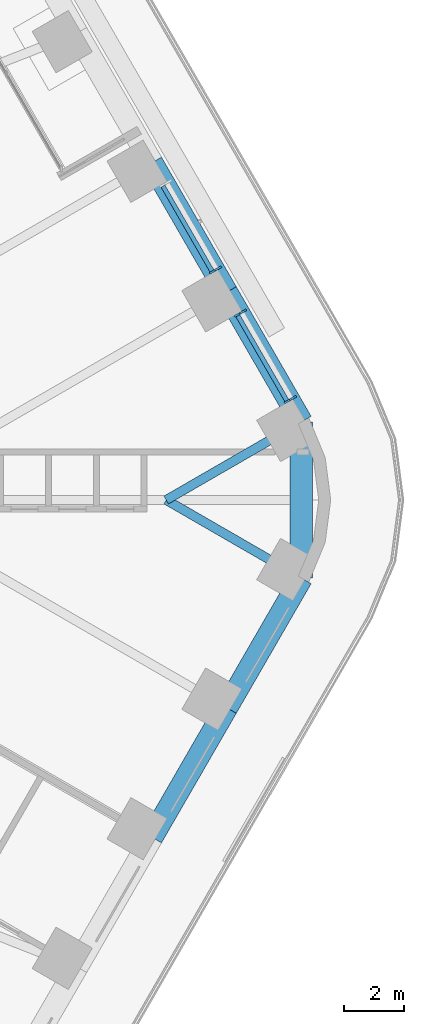
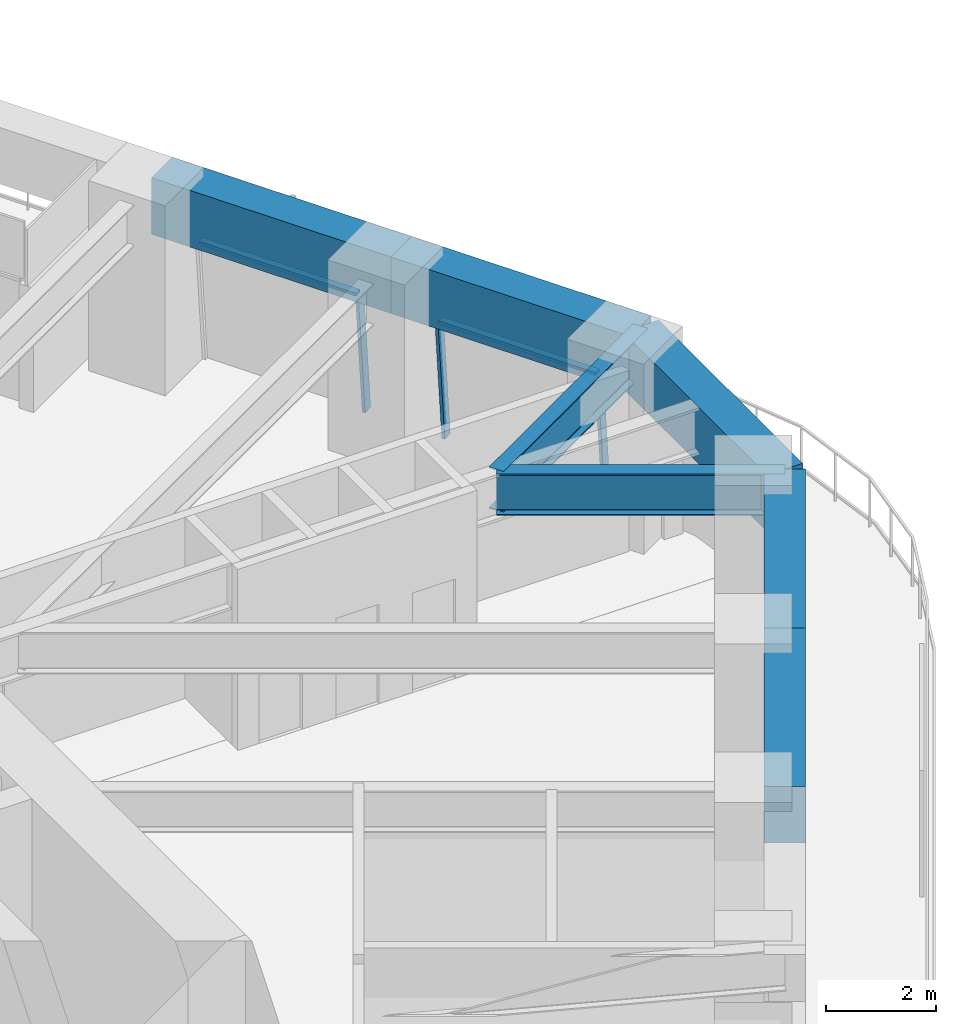
# One storey, part 14 of 24: 7 beams, 5 members, 2 elements without a shape of their own.
"""IFC4 building model written with IfcOpenShell, lengths in metres."""

import ifcopenshell
import ifcopenshell.guid

model = None  # the IFC model being written
_history = None  # IfcOwnerHistory: only IFC2X3 demands one
_inside = {}  # id of a spatial element -> (the spatial element, [elements in it])
_under = {}  # id of a project, library or spatial element -> (it, [spatial elements below it])
_declared = {}  # id of a project -> (the project, [libraries it declares])
_typed = {}  # id of a type object -> (the type object, [elements of that type])
_made_of = {}  # id of a material, layer set ... -> (it, [elements and type objects made of it])


def new_model(schema):
    """Start an empty IFC model of exactly this schema.

    Asked for "IFC4X3", IfcOpenShell would pick the latest addendum, in which some entities
    have other attributes; the version numbers below select the first issue.
    IFC2X3 requires an IfcOwnerHistory on every rooted entity: one is made here for all.
    """
    global model, _history
    if schema == "IFC4X3":
        model = ifcopenshell.file(schema_version=(4, 3, 0, 0))
    else:
        model = ifcopenshell.file(schema=schema)
    _inside.clear()
    _under.clear()
    _declared.clear()
    _typed.clear()
    _made_of.clear()
    _history = None
    if model.schema == "IFC2X3":
        org = make("IfcOrganization", Name="unknown")
        user = make(
            "IfcPersonAndOrganization",
            ThePerson=make("IfcPerson", FamilyName="unknown"),
            TheOrganization=org,
        )
        app = make(
            "IfcApplication",
            ApplicationDeveloper=org,
            Version="unknown",
            ApplicationFullName="unknown",
            ApplicationIdentifier="unknown",
        )
        _history = make(
            "IfcOwnerHistory",
            OwningUser=user,
            OwningApplication=app,
            ChangeAction="ADDED",
            CreationDate=0,
        )
    return model


def make(cls, **values):
    """One entity of the class cls with the attributes given. An attribute that is None is left unset."""
    return model.create_entity(
        cls, **{name: value for name, value in values.items() if value is not None}
    )


def rooted(cls, **values):
    """An entity with a GlobalId (a new one), such as an element, a storey or a relation."""
    return make(cls, GlobalId=ifcopenshell.guid.new(), OwnerHistory=_history, **values)


def si_unit(unit_type, name, prefix=None):
    """IfcSIUnit, for example si_unit("LENGTHUNIT", "METRE", prefix="MILLI")."""
    return make("IfcSIUnit", UnitType=unit_type, Prefix=prefix, Name=name)


def assignment(units):
    """IfcUnitAssignment: the units of a project."""
    return None if units is None else make("IfcUnitAssignment", Units=units)


def point(xyz):
    """IfcCartesianPoint."""
    return None if xyz is None else make("IfcCartesianPoint", Coordinates=xyz)


def direction(xyz):
    """IfcDirection."""
    return None if xyz is None else make("IfcDirection", DirectionRatios=xyz)


def frame(location, z_axis=None, x_axis=None):
    """IfcAxis2Placement3D, a coordinate frame: its origin and axes. An axis left out is left unset."""
    return make(
        "IfcAxis2Placement3D",
        Location=point(location),
        Axis=direction(z_axis),
        RefDirection=direction(x_axis),
    )


def frame_2d(location, x_axis=None):
    """IfcAxis2Placement2D, a coordinate frame in the plane: its origin and x axis."""
    return make(
        "IfcAxis2Placement2D", Location=point(location), RefDirection=direction(x_axis)
    )


def origin():
    """The frame at (0, 0, 0) with its axes left unset."""
    return frame((0.0, 0.0, 0.0))


def origin_2d():
    """The frame at (0, 0) in the plane with its x axis left unset."""
    return frame_2d((0.0, 0.0))


def place(relative_to, where):
    """IfcLocalPlacement: puts the frame where relative to a parent placement (None: the world)."""
    return make(
        "IfcLocalPlacement", PlacementRelTo=relative_to, RelativePlacement=where
    )


def context(
    kind, dimensions, precision=None, world=None, true_north=None, identifier=None
):
    """IfcGeometricRepresentationContext, for example the 3D "Model" context."""
    return make(
        "IfcGeometricRepresentationContext",
        ContextIdentifier=identifier,
        ContextType=kind,
        CoordinateSpaceDimension=dimensions,
        Precision=precision,
        WorldCoordinateSystem=world,
        TrueNorth=true_north,
    )


def subcontext(parent, identifier, kind, view, scale=None):
    """IfcGeometricRepresentationSubContext, for example "Body" below "Model"."""
    return make(
        "IfcGeometricRepresentationSubContext",
        ContextIdentifier=identifier,
        ContextType=kind,
        ParentContext=parent,
        TargetScale=scale,
        TargetView=view,
    )


def project(units=None, contexts=None):
    """IfcProject with its units and contexts."""
    return rooted(
        "IfcProject",
        Name="project",
        RepresentationContexts=contexts,
        UnitsInContext=assignment(units),
    )


def spatial(cls, under=None, at=None, **own):
    """A site, building, storey or space (cls), placed at a placement, below another one or the project."""
    s = rooted(cls, ObjectPlacement=at, **own)
    if under is not None:
        _under.setdefault(under.id(), (under, []))[1].append(s)
    return s


def profile(cls, at=None, kind="AREA", **sizes):
    """A parametric profile (cls). Its sizes go by their IFC names, for example OverallWidth=200.0."""
    return make(cls, ProfileType=kind, Position=at, **sizes)


def rectangle(**sizes):
    """IfcRectangleProfileDef."""
    return profile("IfcRectangleProfileDef", **sizes)


def i_section(**sizes):
    """IfcIShapeProfileDef."""
    return profile("IfcIShapeProfileDef", **sizes)


def extrude(swept, where, along, depth):
    """IfcExtrudedAreaSolid: the profile swept, set in the frame where, extruded along a direction by depth."""
    return make(
        "IfcExtrudedAreaSolid",
        SweptArea=swept,
        Position=where,
        ExtrudedDirection=direction(along),
        Depth=depth,
    )


def shape(context_of_items, identifier, shape_type, items):
    """IfcShapeRepresentation: the items that make up one representation, for example the "Body"."""
    return make(
        "IfcShapeRepresentation",
        ContextOfItems=context_of_items,
        RepresentationIdentifier=identifier,
        RepresentationType=shape_type,
        Items=items,
    )


def material(Name=None, Category=None):
    """IfcMaterial."""
    return make("IfcMaterial", Name=Name, Category=Category)


def material_profile(
    of_material, cross_section, Name=None, Category=None, Priority=None
):
    """IfcMaterialProfile: a cross section and its material."""
    return make(
        "IfcMaterialProfile",
        Name=Name,
        Material=of_material,
        Profile=cross_section,
        Priority=Priority,
        Category=Category,
    )


def profile_set(profiles, Name=None, composite=None):
    """IfcMaterialProfileSet."""
    return make(
        "IfcMaterialProfileSet",
        Name=Name,
        MaterialProfiles=profiles,
        CompositeProfile=composite,
    )


def made_of(thing, what):
    """Note that an element or type object is made of a material, layer set ...; save() writes the relation."""
    if what is not None:
        _made_of.setdefault(what.id(), (what, []))[1].append(thing)
    return thing


def type_object(cls, material=None, **own):
    """A type object (cls), such as IfcWallType, which elements share."""
    return made_of(rooted(cls, **own), material)


def element(
    cls,
    number,
    at=None,
    inside=None,
    cuts=None,
    type_object=None,
    material=None,
    context=None,
    identifier="Body",
    shape_type=None,
    held_by="IfcProductDefinitionShape",
    body=None,
    shapes=None,
    **own,
):
    """One element of the class cls, such as IfcWall. Its Tag is "e" and its number.

    at: its placement. inside: the storey or other place that contains it. cuts: it is an
    opening in that element (IfcRelVoidsElement). A single representation is given by context,
    identifier, shape_type and body (its items); several are given by shapes. held_by: the class
    of the entity that holds the representations. save() writes the other relations.
    """
    e = rooted(cls, Tag="e%d" % number, ObjectPlacement=at, **own)
    if body is not None:
        shapes = [shape(context, identifier, shape_type, body)]
    if shapes is not None:
        e.Representation = make(held_by, Representations=shapes)
    if inside is not None:
        _inside.setdefault(inside.id(), (inside, []))[1].append(e)
    if cuts is not None:
        rooted(
            "IfcRelVoidsElement", RelatingBuildingElement=cuts, RelatedOpeningElement=e
        )
    if type_object is not None:
        _typed.setdefault(type_object.id(), (type_object, []))[1].append(e)
    return made_of(e, material)


def aggregate(whole, parts):
    """IfcRelAggregates: a whole, such as a stair, and the parts it consists of."""
    return rooted("IfcRelAggregates", RelatingObject=whole, RelatedObjects=parts)


def save(model, path):
    """Write the relations noted so far, then the file.

    IfcRelAggregates (storeys below a building ...), IfcRelContainedInSpatialStructure (elements
    in a storey), IfcRelDefinesByType, IfcRelAssociatesMaterial and IfcRelDeclares: one each for
    every whole, place, type object, material and project.
    """
    for whole, parts in _under.values():
        aggregate(whole, parts)
    for where, things in _inside.values():
        rooted(
            "IfcRelContainedInSpatialStructure",
            RelatedElements=things,
            RelatingStructure=where,
        )
    for kind, things in _typed.values():
        rooted("IfcRelDefinesByType", RelatedObjects=things, RelatingType=kind)
    for what, things in _made_of.values():
        rooted("IfcRelAssociatesMaterial", RelatedObjects=things, RelatingMaterial=what)
    for by, libraries in _declared.values():
        rooted("IfcRelDeclares", RelatingContext=by, RelatedDefinitions=libraries)
    model.write(path)


model = new_model("IFC4")

# Units and contexts
model_context = context("Model", 3, precision=1e-05, world=origin(), true_north=direction((0.0, 1.0)))
body_context = subcontext(model_context, "Body", "Model", "MODEL_VIEW")
ifc_project = project(units=[si_unit("LENGTHUNIT", "METRE"), si_unit("AREAUNIT", "SQUARE_METRE"), si_unit("VOLUMEUNIT", "CUBIC_METRE"), si_unit("PLANEANGLEUNIT", "RADIAN"), si_unit("MASSUNIT", "GRAM", prefix="KILO")], contexts=[model_context])

# Site, building, storey
site_placement = place(None, origin())
site = spatial("IfcSite", under=ifc_project, at=site_placement, CompositionType="ELEMENT")
building_placement = place(site_placement, origin())
building = spatial("IfcBuilding", under=site, at=building_placement, Name="Tarfa Lantern Tower", CompositionType="ELEMENT")
storey_placement = place(building_placement, frame((0.0, 0.0, 165.699951171875)))
storey = spatial("IfcBuildingStorey", under=building, at=storey_placement, Name="L37", CompositionType="ELEMENT", Elevation=165.699951171875)

# Curtain wall, members
ifc_material_1 = material(Name="Aluminium framed curtain wall", Category="aluminium")
curtain_wall_type = type_object("IfcCurtainWallType", Name="CW2 CANTED GLAZING MID ZONE 2750", PredefinedType="USERDEFINED", material=ifc_material_1)
curtain_wall_1_placement = place(storey_placement, origin())
curtain_wall_1 = element("IfcCurtainWall", 1, at=curtain_wall_1_placement, inside=storey, type_object=curtain_wall_type, Name="CW2 NE L37", ObjectType="CURTAIN WALL", PredefinedType="USERDEFINED")
ifc_material_2 = material(Name="Aluminium mullion", Category="aluminium")
ifc_material_profile_1 = material_profile(ifc_material_2, rectangle(XDim=0.06494140625, YDim=0.199951171875, at=origin_2d()), Name="AL MULLION 65x200")
ifc_profile_set_1 = profile_set([ifc_material_profile_1], Name="Aluminium mullion")
member_type_1 = type_object("IfcMemberType", Name="CWM1 MULLION 65x200", PredefinedType="MULLION", material=ifc_profile_set_1)
member_1_placement = place(storey_placement, frame((34.282470703125, 3.4208984375, 0.0), z_axis=(-0.078422950161, -0.045267813396, 0.995891894715), x_axis=(0.499919672301, -0.866071776036, 0.0)))
member_1 = element("IfcMember", 2, at=member_1_placement, type_object=member_type_1, Name="CW2 mullion 1", PredefinedType="MULLION", context=body_context, shape_type="SweptSolid", body=[
    extrude(rectangle(XDim=0.06494140625, YDim=0.199951171875, at=origin_2d()), origin(), (0.0, 0.0, 1.0), 2.76123046875),
])
member_2_placement = place(storey_placement, frame((32.613037109375, 6.312255859375, 0.0), z_axis=(-0.078335079308, -0.045268127094, 0.995898796073), x_axis=(0.500342721131, -0.865827443207, 0.0)))
member_2 = element("IfcMember", 3, at=member_2_placement, type_object=member_type_1, Name="CW2 mullion 2", PredefinedType="MULLION", context=body_context, shape_type="SweptSolid", body=[
    extrude(rectangle(XDim=0.06494140625, YDim=0.199951171875, at=origin_2d()), origin(), (0.0, 0.0, 1.0), 2.76123046875),
])

# Curtain wall, member
curtain_wall_2_placement = place(storey_placement, origin())
curtain_wall_2 = element("IfcCurtainWall", 4, at=curtain_wall_2_placement, inside=storey, type_object=curtain_wall_type, Name="CW2 NE L37", ObjectType="CURTAIN WALL", PredefinedType="USERDEFINED")
member_3_placement = place(storey_placement, frame((31.78076171875, 7.75439453125, 0.0), z_axis=(-0.078422950161, -0.045267813396, 0.995891894715), x_axis=(0.499919672301, -0.866071776036, 0.0)))
member_3 = element("IfcMember", 5, at=member_3_placement, type_object=member_type_1, Name="CW2 mullion 1", PredefinedType="MULLION", context=body_context, shape_type="SweptSolid", body=[
    extrude(rectangle(XDim=0.06494140625, YDim=0.199951171875, at=origin_2d()), origin(), (0.0, 0.0, 1.0), 2.76123046875),
])

# Member
ifc_material_3 = material(Name="Aluminium transom", Category="aluminium")
ifc_material_profile_2 = material_profile(ifc_material_3, rectangle(XDim=0.14990234375, YDim=0.06494140625, at=origin_2d()), Name="AL TRANSOM 150x65")
ifc_profile_set_2 = profile_set([ifc_material_profile_2], Name="Aluminium transom")
member_type_2 = type_object("IfcMemberType", Name="CWT1 TRANSOM 150x65", PredefinedType="USERDEFINED", material=ifc_profile_set_2)
member_4_placement = place(storey_placement, frame((34.05224609375, 3.32568359375, 2.717529296875), z_axis=(-0.499989298045, 0.866031582473, 0.0), x_axis=(-0.866031582473, -0.499989298045, 0.0)))
member_4 = element("IfcMember", 6, at=member_4_placement, type_object=member_type_2, Name="CW2 transom 1.2", ObjectType="TRANSOM", PredefinedType="USERDEFINED", context=body_context, shape_type="SweptSolid", body=[
    extrude(rectangle(XDim=0.14990234375, YDim=0.06494140625, at=origin_2d()), origin(), (0.0, 0.0, 1.0), 3.2734375),
])

aggregate(curtain_wall_1, [member_1, member_2, member_4])

member_5_placement = place(storey_placement, frame((31.550537109375, 7.658935546875, 2.717529296875), z_axis=(-0.500012937857, 0.86601793398, 0.0), x_axis=(-0.86601793398, -0.500012937857, 0.0)))
member_5 = element("IfcMember", 7, at=member_5_placement, type_object=member_type_2, Name="CW2 transom 1.2", ObjectType="TRANSOM", PredefinedType="USERDEFINED", context=body_context, shape_type="SweptSolid", body=[
    extrude(rectangle(XDim=0.14990234375, YDim=0.06494140625, at=origin_2d()), origin(), (0.0, 0.0, 1.0), 3.27392578125),
])

aggregate(curtain_wall_2, [member_3, member_5])

# Beams
ifc_material_4 = material(Name="Concrete C80/95", Category="concrete")
ifc_material_profile_3 = material_profile(ifc_material_4, rectangle(XDim=0.75, YDim=1.25, at=origin_2d()), Name="RC 750x1250")
ifc_profile_set_3 = profile_set([ifc_material_profile_3], Name="Concrete C80/95")
beam_type_1 = type_object("IfcBeamType", Name="EB2 RC 750x1250", PredefinedType="SPANDREL", material=ifc_profile_set_3)
for number, where, z_axis, x_axis, name in (
    (8, (34.54296875, 2.610107421875, 3.375), (-0.500022324899, 0.866012514114, 0.0), (-0.866012514114, -0.500022324899, 0.0), "Edge beam NE0"),
    (9, (32.041015625, 6.943359375, 3.375), (-0.500022324899, 0.866012514114, 0.0), (-0.866012514114, -0.500022324899, 0.0), "Edge beam NE1"),
    (10, (29.5390625, -11.276611328125, 3.375), (0.500022324899, 0.866012514114, 0.0), (-0.866012514114, 0.500022324899, 0.0), "Edge beam SE4"),
    (11, (32.041015625, -6.943359375, 3.375), (0.500022324899, 0.866012514114, 0.0), (-0.866012514114, 0.500022324899, 0.0), "Edge beam SE5"),
):
    element("IfcBeam", number, at=place(storey_placement, frame(where, z_axis=z_axis, x_axis=x_axis)), inside=storey, type_object=beam_type_1, Name=name, PredefinedType="SPANDREL", context=body_context, shape_type="SweptSolid", body=[
        extrude(rectangle(XDim=0.75, YDim=1.25, at=origin_2d()), origin(), (0.0, 0.0, 1.0), 5.003662109375),
    ])
beam_placement = place(storey_placement, frame((34.54296875, -2.610107421875, 3.375), z_axis=(0.0, 1.0, 0.0), x_axis=(-1.0, 0.0, 0.0)))
element("IfcBeam", 12, at=beam_placement, inside=storey, type_object=beam_type_1, Name="Edge beam SE6", PredefinedType="SPANDREL", context=body_context, shape_type="SweptSolid", body=[
    extrude(rectangle(XDim=0.75, YDim=1.25, at=origin_2d()), origin(), (0.0, 0.0, 1.0), 5.22021484375),
])
ifc_material_5 = material(Name="Steel S460M", Category="steel")
ifc_material_profile_4 = material_profile(ifc_material_5, i_section(OverallWidth=0.305419921875, OverallDepth=0.91845703125, WebThickness=0.017333984375, FlangeThickness=0.02783203125, FilletRadius=0.01904296875, at=origin_2d()), Name="UB914x305x253")
ifc_profile_set_4 = profile_set([ifc_material_profile_4], Name="Steel S460M")
beam_type_2 = type_object("IfcBeamType", Name="UB914x305x253", PredefinedType="BEAM", material=ifc_profile_set_4)
for number, where, z_axis, x_axis, name in (
    (13, (34.54296875, 2.610107421875, 3.540771484375), (-0.866021250859, -0.500007193008, 0.0), (0.500007193008, -0.866021250859, 0.0), "Floor beam NE0"),
    (14, (34.54296875, -2.610107421875, 3.540771484375), (-0.866021250859, 0.500007193008, 0.0), (-0.500007193008, -0.866021250859, 0.0), "Floor beam SE6"),
):
    element("IfcBeam", number, at=place(storey_placement, frame(where, z_axis=z_axis, x_axis=x_axis)), inside=storey, type_object=beam_type_2, Name=name, PredefinedType="BEAM", context=body_context, shape_type="SweptSolid", body=[
        extrude(i_section(OverallWidth=0.305419921875, OverallDepth=0.91845703125, WebThickness=0.017333984375, FlangeThickness=0.02783203125, FilletRadius=0.01904296875, at=origin_2d()), origin(), (0.0, 0.0, 1.0), 5.22021484375),
    ])

save(model, "model.ifc")
